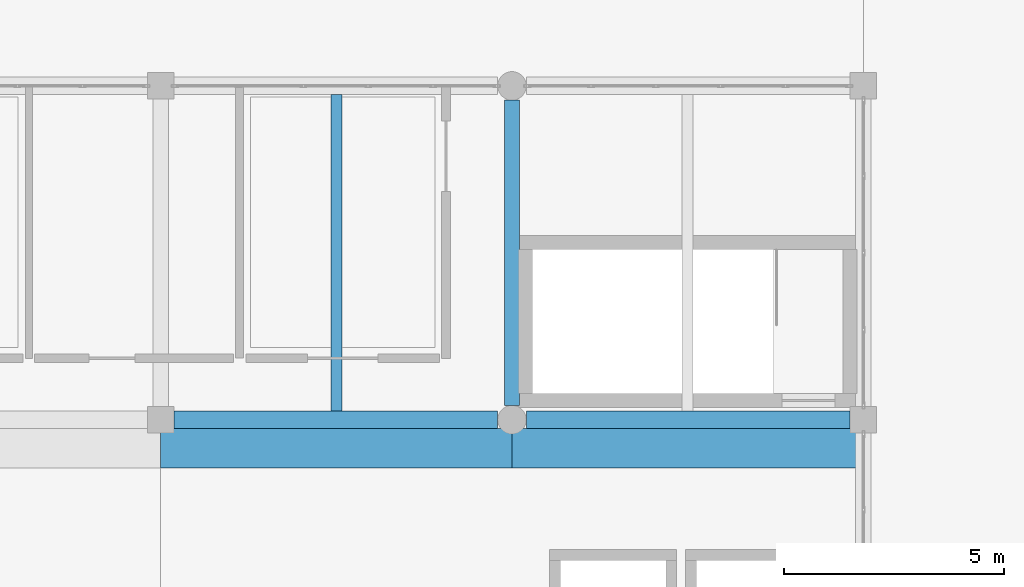
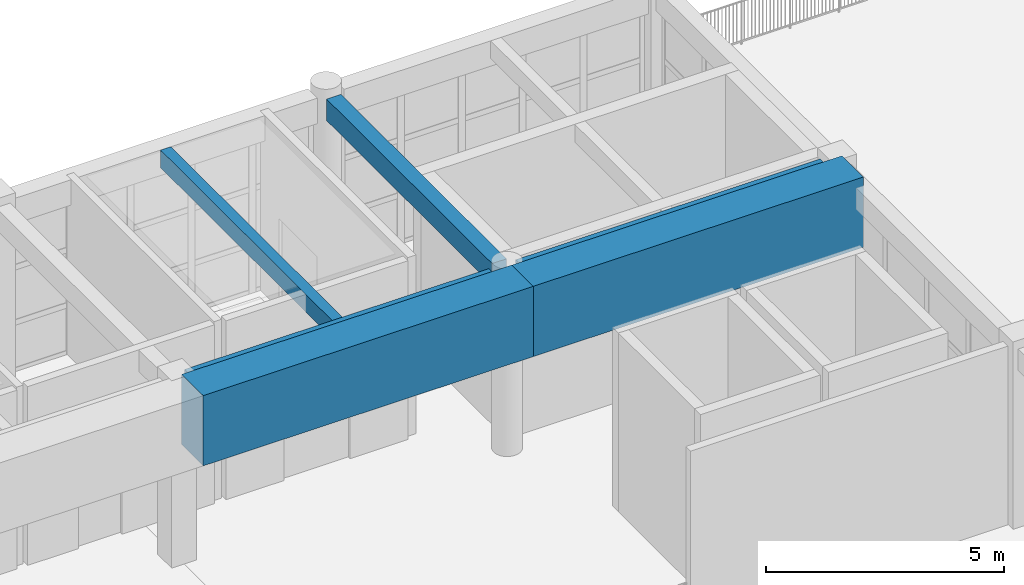
# One storey, part 18 of 32: 6 beams.
"""IFC4 building model written with IfcOpenShell, lengths in metres."""

from ifc_helpers import new_model, si_unit, direction, frame, origin, origin_2d, place, context, subcontext, project, spatial, rectangle, extrude, material, material_profile, profile_set, type_object, element, save


model = new_model("IFC4")

# Units and contexts
model_context = context("Model", 3, precision=1e-05, world=origin(), true_north=direction((0.0, 1.0)))
body_context = subcontext(model_context, "Body", "Model", "MODEL_VIEW")
ifc_project = project(units=[si_unit("LENGTHUNIT", "METRE"), si_unit("AREAUNIT", "SQUARE_METRE"), si_unit("VOLUMEUNIT", "CUBIC_METRE"), si_unit("PLANEANGLEUNIT", "RADIAN"), si_unit("MASSUNIT", "GRAM", prefix="KILO")], contexts=[model_context])

# Site, building, storey
site_placement = place(None, origin())
site = spatial("IfcSite", under=ifc_project, at=site_placement, CompositionType="ELEMENT")
building_placement = place(site_placement, origin())
building = spatial("IfcBuilding", under=site, at=building_placement, Name="Zantavel Square City Hall", CompositionType="ELEMENT")
storey_placement = place(building_placement, frame((0.0, 0.0, 23.699951171875)))
storey = spatial("IfcBuildingStorey", under=building, at=storey_placement, Name="L06", CompositionType="ELEMENT", Elevation=23.699951171875)

# Beams
ifc_material_1 = material(Name="Concrete C35/45", Category="concrete")
ifc_material_profile_1 = material_profile(ifc_material_1, rectangle(XDim=0.39990234375, YDim=0.64990234375, at=origin_2d()), Name="RC 400x650")
ifc_profile_set_1 = profile_set([ifc_material_profile_1], Name="Concrete C35/45")
beam_type_1 = type_object("IfcBeamType", Name="Frame Beam RC 400x650 C35/45", PredefinedType="BEAM", material=ifc_profile_set_1)
for number, where, z_axis, x_axis, name in (
    (1, (88.300048828125, 60.800048828125, 4.255126953125), (1.0, 0.0, 0.0), (0.0, 1.0, 0.0), "L06 Girder BMX-L06-0880-0608"),
    (2, (96.324951171875, 60.800048828125, 4.255126953125), (1.0, 0.0, 0.0), (0.0, 1.0, 0.0), "L06 Girder BMX-L06-0960-0608"),
):
    element("IfcBeam", number, at=place(storey_placement, frame(where, z_axis=z_axis, x_axis=x_axis)), inside=storey, type_object=beam_type_1, Name=name, PredefinedType="BEAM", context=body_context, shape_type="SweptSolid", body=[
        extrude(rectangle(XDim=0.39990234375, YDim=0.64990234375, at=origin_2d()), origin(), (0.0, 0.0, 1.0), 7.375),
    ])
ifc_material_profile_2 = material_profile(ifc_material_1, rectangle(XDim=0.25, YDim=0.449951171875, at=origin_2d()), Name="RC 250x450")
ifc_profile_set_2 = profile_set([ifc_material_profile_2], Name="Concrete C35/45")
beam_type_2 = type_object("IfcBeamType", Name="Light Floor Joist RC 250x450 C35/45", PredefinedType="JOIST", material=ifc_profile_set_2)
beam_1_placement = place(storey_placement, frame((92.0, 61.0, 4.35498046875), z_axis=(0.0, 1.0, 0.0), x_axis=(-1.0, 0.0, 0.0)))
element("IfcBeam", 3, at=beam_1_placement, inside=storey, type_object=beam_type_2, Name="L06 Floor Joist JST-L06-0920-0608", PredefinedType="JOIST", context=body_context, shape_type="SweptSolid", body=[
    extrude(rectangle(XDim=0.25, YDim=0.449951171875, at=origin_2d()), origin(), (0.0, 0.0, 1.0), 7.199951171875),
])
ifc_material_profile_3 = material_profile(ifc_material_1, rectangle(XDim=0.35009765625, YDim=0.550048828125, at=origin_2d()), Name="RC 350x550")
ifc_profile_set_3 = profile_set([ifc_material_profile_3], Name="Concrete C35/45")
beam_type_3 = type_object("IfcBeamType", Name="Secondary Beam RC 350x550 C35/45", PredefinedType="BEAM", material=ifc_profile_set_3)
beam_2_placement = place(storey_placement, frame((96.0, 61.125, 4.304931640625), z_axis=(0.0, 1.0, 0.0), x_axis=(-1.0, 0.0, 0.0)))
element("IfcBeam", 4, at=beam_2_placement, inside=storey, type_object=beam_type_3, Name="L06 Beam BMY-L06-0960-0608", PredefinedType="BEAM", context=body_context, shape_type="SweptSolid", body=[
    extrude(rectangle(XDim=0.35009765625, YDim=0.550048828125, at=origin_2d()), origin(), (0.0, 0.0, 1.0), 6.949951171875),
])
ifc_material_2 = material(Name="Concrete C40/50", Category="concrete")
ifc_material_profile_4 = material_profile(ifc_material_2, rectangle(XDim=0.89990234375, YDim=1.800048828125, at=origin_2d()), Name="RC 900x1800")
ifc_profile_set_4 = profile_set([ifc_material_profile_4], Name="Concrete C40/50")
beam_type_4 = type_object("IfcBeamType", Name="Transfer Girder RC 900x1800 C40/50", PredefinedType="BEAM", material=ifc_profile_set_4)
for number, where, z_axis, x_axis, name in (
    (5, (88.0, 60.14990234375, 3.900146484375), (1.0, 0.0, 0.0), (0.0, 1.0, 0.0), "Vault Thrust Transfer Girder N-4"),
    (6, (96.0, 60.14990234375, 3.900146484375), (1.0, 0.0, 0.0), (0.0, 1.0, 0.0), "Vault Thrust Transfer Girder N-5"),
):
    element("IfcBeam", number, at=place(storey_placement, frame(where, z_axis=z_axis, x_axis=x_axis)), inside=storey, type_object=beam_type_4, Name=name, PredefinedType="BEAM", context=body_context, shape_type="SweptSolid", body=[
        extrude(rectangle(XDim=0.89990234375, YDim=1.800048828125, at=origin_2d()), origin(), (0.0, 0.0, 1.0), 8.0),
    ])

save(model, "model.ifc")
